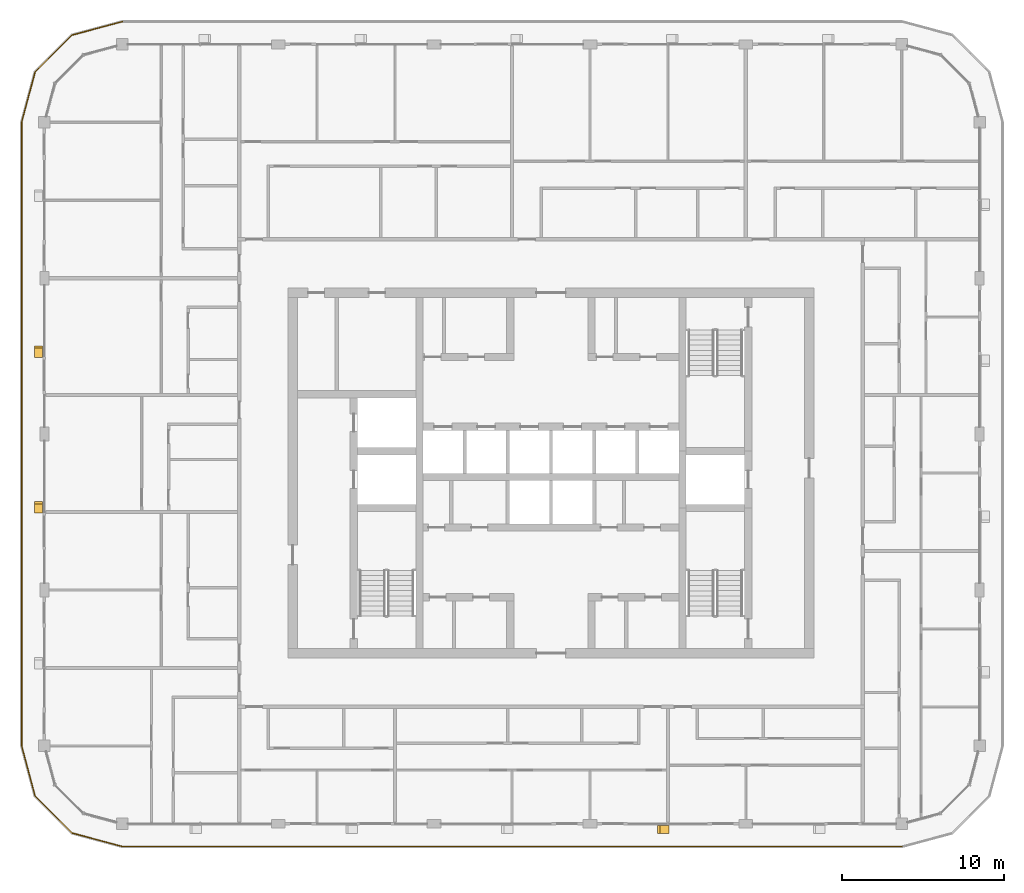
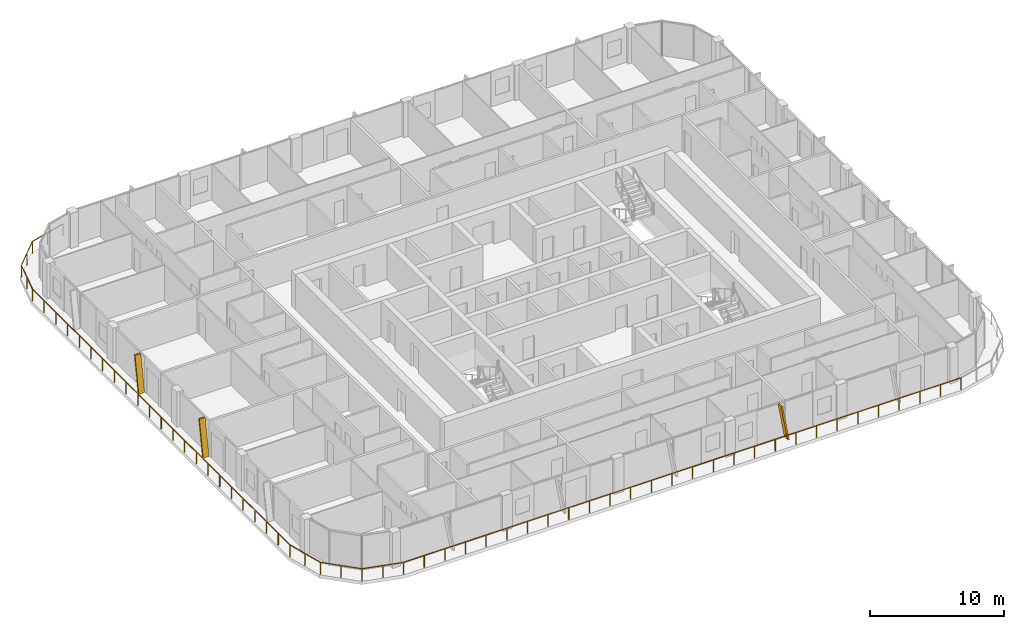
# One storey, part 18 of 22: 3 shading devices, 1 railing.
"""IFC4 building model written with IfcOpenShell, lengths in metres."""

from ifc_helpers import new_model, si_unit, direction, frame, origin, origin_2d, place, context, subcontext, project, spatial, polyline, circle, outline, extrude, material, type_object, element, save


model = new_model("IFC4")

# Units and contexts
model_context = context("Model", 3, precision=1e-05, world=origin(), true_north=direction((0.0, 1.0)))
body_context = subcontext(model_context, "Body", "Model", "MODEL_VIEW")
ifc_project = project(units=[si_unit("LENGTHUNIT", "METRE"), si_unit("AREAUNIT", "SQUARE_METRE"), si_unit("VOLUMEUNIT", "CUBIC_METRE"), si_unit("PLANEANGLEUNIT", "RADIAN"), si_unit("MASSUNIT", "GRAM", prefix="KILO")], contexts=[model_context])

# Site, building, storey
site_placement = place(None, origin())
site = spatial("IfcSite", under=ifc_project, at=site_placement, CompositionType="ELEMENT")
building_placement = place(site_placement, origin())
building = spatial("IfcBuilding", under=site, at=building_placement, Name="Madar Terraces", CompositionType="ELEMENT")
storey_placement = place(building_placement, frame((0.0, 0.0, 256.199951171875)))
storey = spatial("IfcBuildingStorey", under=building, at=storey_placement, Name="L67", CompositionType="ELEMENT", Elevation=256.199951171875)

# Railing
ifc_material_1 = material(Name="Glass, safety glazing, with stainless steel posts", Category="steel")
railing_type = type_object("IfcRailingType", Name="Balcony glass guard 1100", PredefinedType="GUARDRAIL", material=ifc_material_1)
railing_placement = place(storey_placement, frame((4.800048828125, 54.199951171875, 0.0)))
element("IfcRailing", 1, at=railing_placement, inside=storey, type_object=railing_type, Name="Balcony guard", PredefinedType="GUARDRAIL", context=body_context, shape_type="SweptSolid", body=[
    extrude(circle(Radius=0.02392578125, at=origin_2d()), frame((0.0, 0.0, 1.076171875), z_axis=(-0.9659337912, -0.258789317819, 0.0), x_axis=(0.258789317819, -0.9659337912, 0.0)), (0.0, 0.0, 1.0), 3.20947265625),
    extrude(circle(Radius=0.02392578125, at=origin_2d()), frame((-3.10009765625, -0.83056640625, 1.076171875), z_axis=(-0.707106781187, -0.707106781187, 0.0), x_axis=(0.707106781187, -0.707106781187, 0.0)), (0.0, 0.0, 1.0), 3.209228515625),
    extrude(circle(Radius=0.02392578125, at=origin_2d()), frame((-5.369384765625, -3.099853515625, 1.076171875), z_axis=(-0.258789317819, -0.9659337912, 0.0), x_axis=(0.9659337912, -0.258789317819, 0.0)), (0.0, 0.0, 1.0), 3.20947265625),
    extrude(circle(Radius=0.02392578125, at=origin_2d()), frame((-6.199951171875, -6.199951171875, 1.076171875), z_axis=(0.0, -1.0, 0.0), x_axis=(1.0, 0.0, 0.0)), (0.0, 0.0, 1.0), 38.39990234375),
    extrude(circle(Radius=0.02392578125, at=origin_2d()), frame((-6.199951171875, -44.599853515625, 1.076171875), z_axis=(0.258789317819, -0.9659337912, 0.0), x_axis=(0.9659337912, 0.258789317819, 0.0)), (0.0, 0.0, 1.0), 3.20947265625),
    extrude(circle(Radius=0.02392578125, at=origin_2d()), frame((-5.369384765625, -47.699951171875, 1.076171875), z_axis=(0.707106781187, -0.707106781187, 0.0), x_axis=(0.707106781187, 0.707106781187, 0.0)), (0.0, 0.0, 1.0), 3.209228515625),
    extrude(circle(Radius=0.02392578125, at=origin_2d()), frame((-3.10009765625, -49.96923828125, 1.076171875), z_axis=(0.965914773555, -0.258860290944, 0.0), x_axis=(0.258860290944, 0.965914773555, 0.0)), (0.0, 0.0, 1.0), 3.20947265625),
    extrude(circle(Radius=0.02392578125, at=origin_2d()), frame((0.0, -50.800048828125, 1.076171875), z_axis=(1.0, 0.0, 0.0), x_axis=(0.0, 1.0, 0.0)), (0.0, 0.0, 1.0), 48.0),
    extrude(circle(Radius=0.02099609375, at=origin_2d()), origin(), (0.0, 0.0, 1.0), 1.052001953125),
    extrude(circle(Radius=0.02099609375, at=origin_2d()), frame((-1.550048828125, -0.415283203125, 0.0)), (0.0, 0.0, 1.0), 1.052001953125),
    extrude(circle(Radius=0.02099609375, at=origin_2d()), frame((-3.10009765625, -0.83056640625, 0.0)), (0.0, 0.0, 1.0), 1.052001953125),
    extrude(circle(Radius=0.02099609375, at=origin_2d()), frame((-4.23486328125, -1.96533203125, 0.0)), (0.0, 0.0, 1.0), 1.052001953125),
    extrude(circle(Radius=0.02099609375, at=origin_2d()), frame((-5.369384765625, -3.099853515625, 0.0)), (0.0, 0.0, 1.0), 1.052001953125),
    extrude(circle(Radius=0.02099609375, at=origin_2d()), frame((-5.78466796875, -4.64990234375, 0.0)), (0.0, 0.0, 1.0), 1.052001953125),
    extrude(circle(Radius=0.02099609375, at=origin_2d()), frame((-6.199951171875, -6.199951171875, 0.0)), (0.0, 0.0, 1.0), 1.052001953125),
    extrude(circle(Radius=0.02099609375, at=origin_2d()), frame((-6.199951171875, -7.9453125, 0.0)), (0.0, 0.0, 1.0), 1.052001953125),
    extrude(circle(Radius=0.02099609375, at=origin_2d()), frame((-6.199951171875, -9.69091796875, 0.0)), (0.0, 0.0, 1.0), 1.052001953125),
    extrude(circle(Radius=0.02099609375, at=origin_2d()), frame((-6.199951171875, -11.436279296875, 0.0)), (0.0, 0.0, 1.0), 1.052001953125),
    extrude(circle(Radius=0.02099609375, at=origin_2d()), frame((-6.199951171875, -13.181640625, 0.0)), (0.0, 0.0, 1.0), 1.052001953125),
    extrude(circle(Radius=0.02099609375, at=origin_2d()), frame((-6.199951171875, -14.92724609375, 0.0)), (0.0, 0.0, 1.0), 1.052001953125),
    extrude(circle(Radius=0.02099609375, at=origin_2d()), frame((-6.199951171875, -16.672607421875, 0.0)), (0.0, 0.0, 1.0), 1.052001953125),
    extrude(circle(Radius=0.02099609375, at=origin_2d()), frame((-6.199951171875, -18.418212890625, 0.0)), (0.0, 0.0, 1.0), 1.052001953125),
    extrude(circle(Radius=0.02099609375, at=origin_2d()), frame((-6.199951171875, -20.16357421875, 0.0)), (0.0, 0.0, 1.0), 1.052001953125),
    extrude(circle(Radius=0.02099609375, at=origin_2d()), frame((-6.199951171875, -21.908935546875, 0.0)), (0.0, 0.0, 1.0), 1.052001953125),
    extrude(circle(Radius=0.02099609375, at=origin_2d()), frame((-6.199951171875, -23.654541015625, 0.0)), (0.0, 0.0, 1.0), 1.052001953125),
    extrude(circle(Radius=0.02099609375, at=origin_2d()), frame((-6.199951171875, -25.39990234375, 0.0)), (0.0, 0.0, 1.0), 1.052001953125),
    extrude(circle(Radius=0.02099609375, at=origin_2d()), frame((-6.199951171875, -27.145263671875, 0.0)), (0.0, 0.0, 1.0), 1.052001953125),
    extrude(circle(Radius=0.02099609375, at=origin_2d()), frame((-6.199951171875, -28.890869140625, 0.0)), (0.0, 0.0, 1.0), 1.052001953125),
    extrude(circle(Radius=0.02099609375, at=origin_2d()), frame((-6.199951171875, -30.63623046875, 0.0)), (0.0, 0.0, 1.0), 1.052001953125),
    extrude(circle(Radius=0.02099609375, at=origin_2d()), frame((-6.199951171875, -32.381591796875, 0.0)), (0.0, 0.0, 1.0), 1.052001953125),
    extrude(circle(Radius=0.02099609375, at=origin_2d()), frame((-6.199951171875, -34.127197265625, 0.0)), (0.0, 0.0, 1.0), 1.052001953125),
    extrude(circle(Radius=0.02099609375, at=origin_2d()), frame((-6.199951171875, -35.87255859375, 0.0)), (0.0, 0.0, 1.0), 1.052001953125),
    extrude(circle(Radius=0.02099609375, at=origin_2d()), frame((-6.199951171875, -37.6181640625, 0.0)), (0.0, 0.0, 1.0), 1.052001953125),
    extrude(circle(Radius=0.02099609375, at=origin_2d()), frame((-6.199951171875, -39.363525390625, 0.0)), (0.0, 0.0, 1.0), 1.052001953125),
    extrude(circle(Radius=0.02099609375, at=origin_2d()), frame((-6.199951171875, -41.10888671875, 0.0)), (0.0, 0.0, 1.0), 1.052001953125),
    extrude(circle(Radius=0.02099609375, at=origin_2d()), frame((-6.199951171875, -42.8544921875, 0.0)), (0.0, 0.0, 1.0), 1.052001953125),
    extrude(circle(Radius=0.02099609375, at=origin_2d()), frame((-6.199951171875, -44.599853515625, 0.0)), (0.0, 0.0, 1.0), 1.052001953125),
    extrude(circle(Radius=0.02099609375, at=origin_2d()), frame((-5.78466796875, -46.14990234375, 0.0)), (0.0, 0.0, 1.0), 1.052001953125),
    extrude(circle(Radius=0.02099609375, at=origin_2d()), frame((-5.369384765625, -47.699951171875, 0.0)), (0.0, 0.0, 1.0), 1.052001953125),
    extrude(circle(Radius=0.02099609375, at=origin_2d()), frame((-4.23486328125, -48.83447265625, 0.0)), (0.0, 0.0, 1.0), 1.052001953125),
    extrude(circle(Radius=0.02099609375, at=origin_2d()), frame((-3.10009765625, -49.96923828125, 0.0)), (0.0, 0.0, 1.0), 1.052001953125),
    extrude(circle(Radius=0.02099609375, at=origin_2d()), frame((-1.550048828125, -50.384765625, 0.0)), (0.0, 0.0, 1.0), 1.052001953125),
    extrude(circle(Radius=0.02099609375, at=origin_2d()), frame((0.0, -50.800048828125, 0.0)), (0.0, 0.0, 1.0), 1.052001953125),
    extrude(circle(Radius=0.02099609375, at=origin_2d()), frame((1.77783203125, -50.800048828125, 0.0)), (0.0, 0.0, 1.0), 1.052001953125),
    extrude(circle(Radius=0.02099609375, at=origin_2d()), frame((3.5556640625, -50.800048828125, 0.0)), (0.0, 0.0, 1.0), 1.052001953125),
    extrude(circle(Radius=0.02099609375, at=origin_2d()), frame((5.333251953125, -50.800048828125, 0.0)), (0.0, 0.0, 1.0), 1.052001953125),
    extrude(circle(Radius=0.02099609375, at=origin_2d()), frame((7.111083984375, -50.800048828125, 0.0)), (0.0, 0.0, 1.0), 1.052001953125),
    extrude(circle(Radius=0.02099609375, at=origin_2d()), frame((8.888916015625, -50.800048828125, 0.0)), (0.0, 0.0, 1.0), 1.052001953125),
    extrude(circle(Radius=0.02099609375, at=origin_2d()), frame((10.666748046875, -50.800048828125, 0.0)), (0.0, 0.0, 1.0), 1.052001953125),
    extrude(circle(Radius=0.02099609375, at=origin_2d()), frame((12.4443359375, -50.800048828125, 0.0)), (0.0, 0.0, 1.0), 1.052001953125),
    extrude(circle(Radius=0.02099609375, at=origin_2d()), frame((14.22216796875, -50.800048828125, 0.0)), (0.0, 0.0, 1.0), 1.052001953125),
    extrude(circle(Radius=0.02099609375, at=origin_2d()), frame((16.0, -50.800048828125, 0.0)), (0.0, 0.0, 1.0), 1.052001953125),
    extrude(circle(Radius=0.02099609375, at=origin_2d()), frame((17.77783203125, -50.800048828125, 0.0)), (0.0, 0.0, 1.0), 1.052001953125),
    extrude(circle(Radius=0.02099609375, at=origin_2d()), frame((19.5556640625, -50.800048828125, 0.0)), (0.0, 0.0, 1.0), 1.052001953125),
    extrude(circle(Radius=0.02099609375, at=origin_2d()), frame((21.333251953125, -50.800048828125, 0.0)), (0.0, 0.0, 1.0), 1.052001953125),
    extrude(circle(Radius=0.02099609375, at=origin_2d()), frame((23.111083984375, -50.800048828125, 0.0)), (0.0, 0.0, 1.0), 1.052001953125),
    extrude(circle(Radius=0.02099609375, at=origin_2d()), frame((24.888916015625, -50.800048828125, 0.0)), (0.0, 0.0, 1.0), 1.052001953125),
    extrude(circle(Radius=0.02099609375, at=origin_2d()), frame((26.666748046875, -50.800048828125, 0.0)), (0.0, 0.0, 1.0), 1.052001953125),
    extrude(circle(Radius=0.02099609375, at=origin_2d()), frame((28.4443359375, -50.800048828125, 0.0)), (0.0, 0.0, 1.0), 1.052001953125),
    extrude(circle(Radius=0.02099609375, at=origin_2d()), frame((30.22216796875, -50.800048828125, 0.0)), (0.0, 0.0, 1.0), 1.052001953125),
    extrude(circle(Radius=0.02099609375, at=origin_2d()), frame((32.0, -50.800048828125, 0.0)), (0.0, 0.0, 1.0), 1.052001953125),
    extrude(circle(Radius=0.02099609375, at=origin_2d()), frame((33.77783203125, -50.800048828125, 0.0)), (0.0, 0.0, 1.0), 1.052001953125),
    extrude(circle(Radius=0.02099609375, at=origin_2d()), frame((35.5556640625, -50.800048828125, 0.0)), (0.0, 0.0, 1.0), 1.052001953125),
    extrude(circle(Radius=0.02099609375, at=origin_2d()), frame((37.333251953125, -50.800048828125, 0.0)), (0.0, 0.0, 1.0), 1.052001953125),
    extrude(circle(Radius=0.02099609375, at=origin_2d()), frame((39.111083984375, -50.800048828125, 0.0)), (0.0, 0.0, 1.0), 1.052001953125),
    extrude(circle(Radius=0.02099609375, at=origin_2d()), frame((40.888916015625, -50.800048828125, 0.0)), (0.0, 0.0, 1.0), 1.052001953125),
    extrude(circle(Radius=0.02099609375, at=origin_2d()), frame((42.666748046875, -50.800048828125, 0.0)), (0.0, 0.0, 1.0), 1.052001953125),
    extrude(circle(Radius=0.02099609375, at=origin_2d()), frame((44.4443359375, -50.800048828125, 0.0)), (0.0, 0.0, 1.0), 1.052001953125),
    extrude(circle(Radius=0.02099609375, at=origin_2d()), frame((46.22216796875, -50.800048828125, 0.0)), (0.0, 0.0, 1.0), 1.052001953125),
    extrude(circle(Radius=0.02099609375, at=origin_2d()), frame((48.0, -50.800048828125, 0.0)), (0.0, 0.0, 1.0), 1.052001953125),
])

# Shading devices
ifc_material_2 = material(Name="Aluminium, black anodised", Category="aluminium")
shading_device_type = type_object("IfcShadingDeviceType", Name="Facade fin blade 140 x 500", PredefinedType="USERDEFINED", material=ifc_material_2)
for number, where, z_axis, x_axis, name in (
    (2, (38.330078125, 4.449951171875, 0.0), (0.0, 0.0, 1.0), (1.0, 0.0, 0.0), "FIN L67 S4"),
    (3, (-0.35009765625, 33.669921875, 0.0), (0.0, 0.0, 1.0), (0.0, -1.0, 0.0), "FIN L67 W2"),
):
    element("IfcShadingDevice", number, at=place(storey_placement, frame(where, z_axis=z_axis, x_axis=x_axis)), inside=storey, type_object=shading_device_type, Name=name, ObjectType="FIN", PredefinedType="USERDEFINED", context=body_context, shape_type="SweptSolid", body=[
        extrude(outline(polyline([(0.0, 0.0), (0.139892578125, 0.0), (-0.42431640625, 3.199951171875), (-0.564208984375, 3.199951171875), (0.0, 0.0)])), frame((0.0, 0.25, 0.0), z_axis=(0.0, -1.0, 0.0), x_axis=(1.0, 0.0, 0.0)), (0.0, 0.0, 1.0), 0.5),
    ])
shading_device_placement = place(storey_placement, frame((-0.35009765625, 24.070068359375, 0.0), z_axis=(0.0, 0.0, 1.0), x_axis=(0.0, -1.0, 0.0)))
element("IfcShadingDevice", 4, at=shading_device_placement, inside=storey, type_object=shading_device_type, Name="FIN L67 W3", ObjectType="FIN", PredefinedType="USERDEFINED", context=body_context, shape_type="SweptSolid", body=[
    extrude(outline(polyline([(0.0, 0.0), (0.14013671875, 0.0), (-0.42431640625, 3.199951171875), (-0.564208984375, 3.199951171875), (0.0, 0.0)])), frame((0.0, 0.25, 0.0), z_axis=(0.0, -1.0, 0.0), x_axis=(1.0, 0.0, 0.0)), (0.0, 0.0, 1.0), 0.5),
])

save(model, "model.ifc")
